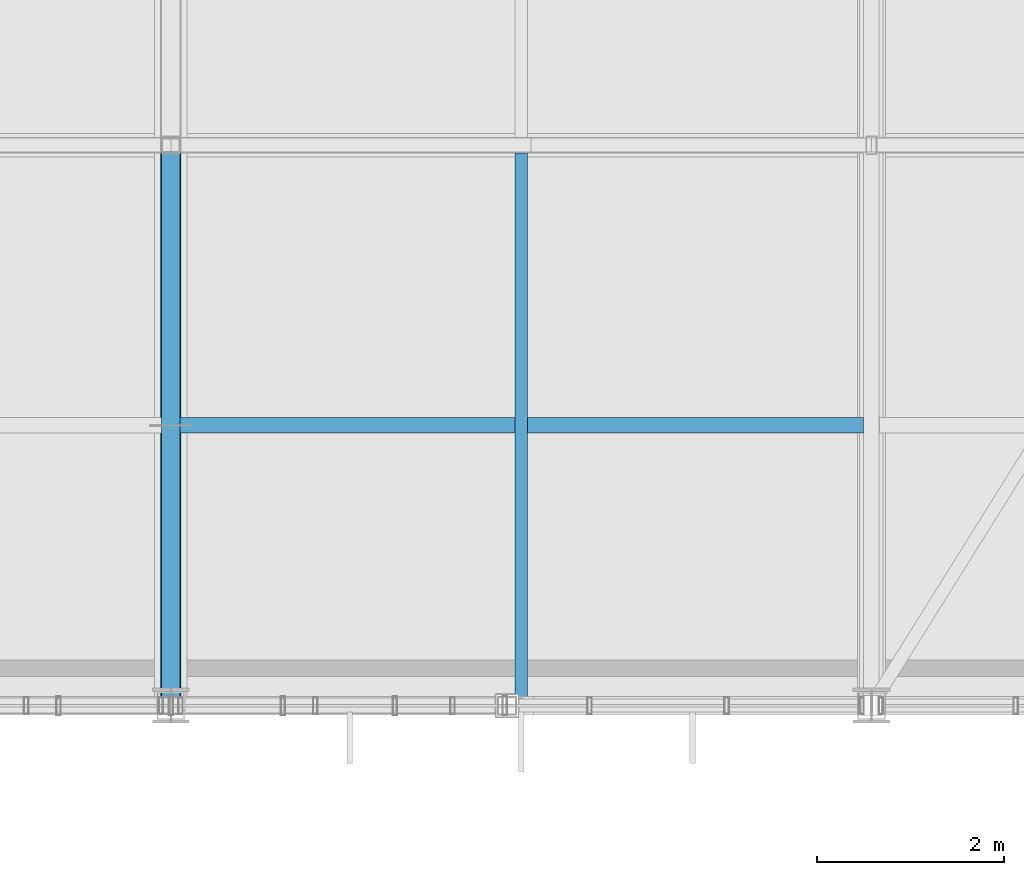
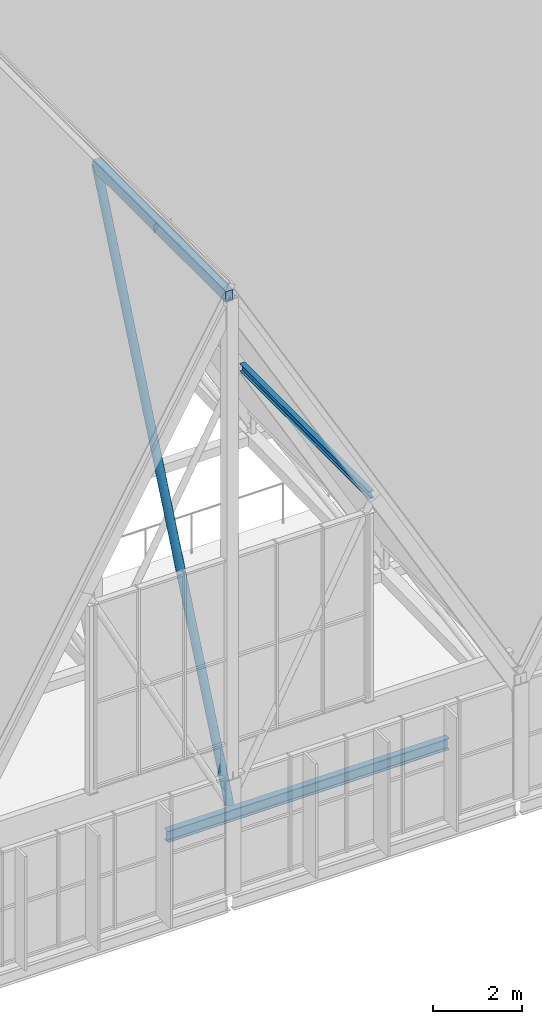
# One storey, part 124 of 324: 2 beams, 2 members.
"""IFC4 building model written with IfcOpenShell, lengths in metres."""

from ifc_helpers import new_model, si_unit, direction, frame, origin, origin_2d, place, context, subcontext, project, spatial, hollow_rectangle, hollow_circle, i_section, extrude, material, material_profile, profile_set, type_object, element, save


model = new_model("IFC4")

# Units and contexts
model_context = context("Model", 3, precision=1e-05, world=origin(), true_north=direction((0.0, 1.0)))
body_context = subcontext(model_context, "Body", "Model", "MODEL_VIEW")
ifc_project = project(units=[si_unit("LENGTHUNIT", "METRE"), si_unit("AREAUNIT", "SQUARE_METRE"), si_unit("VOLUMEUNIT", "CUBIC_METRE"), si_unit("PLANEANGLEUNIT", "RADIAN"), si_unit("MASSUNIT", "GRAM", prefix="KILO")], contexts=[model_context])

# Site, building, storey
site_placement = place(None, origin())
site = spatial("IfcSite", under=ifc_project, at=site_placement, CompositionType="ELEMENT")
building_placement = place(site_placement, origin())
building = spatial("IfcBuilding", under=site, at=building_placement, Name="Solvenia Promenade Tram Depot", CompositionType="ELEMENT")
storey_placement = place(building_placement, frame((0.0, 0.0, 4.5)))
storey = spatial("IfcBuildingStorey", under=building, at=storey_placement, Name="L01", CompositionType="ELEMENT", Elevation=4.5)

# Members
ifc_material_1 = material(Name="Structural steel ASTM A500 Gr. C", Category="steel")
ifc_material_profile_1 = material_profile(ifc_material_1, hollow_circle(Radius=0.109619140625, WallThickness=0.008056640625, at=origin_2d()), Name="CHS219.1x8", Category="steel")
ifc_profile_set_1 = profile_set([ifc_material_profile_1], Name="Structural steel ASTM A500 Gr. C")
member_type_1 = type_object("IfcMemberType", Name="Brace-CHS219x8", PredefinedType="BRACE", material=ifc_profile_set_1)
member_1_placement = place(storey_placement, frame((67.5, 66.0, 2.320068359375), z_axis=(0.0, 0.393919298579, 0.919145030018), x_axis=(-1.0, 0.0, 0.0)))
element("IfcMember", 1, at=member_1_placement, inside=storey, type_object=member_type_1, Name="Arched Truss T10 Web Diagonal S01", PredefinedType="BRACE", context=body_context, shape_type="SweptSolid", body=[
    extrude(hollow_circle(Radius=0.109619140625, WallThickness=0.008056640625, at=origin_2d()), origin(), (0.0, 0.0, 1.0), 15.2314453125),
])
ifc_material_profile_2 = material_profile(ifc_material_1, hollow_rectangle(XDim=0.199951171875, YDim=0.300048828125, WallThickness=0.012451171875, at=origin_2d()), Name="HSS300x200x12.5", Category="steel")
ifc_profile_set_2 = profile_set([ifc_material_profile_2], Name="Structural steel ASTM A500 Gr. C")
member_type_2 = type_object("IfcMemberType", Name="Chord-HSS300x200x12", PredefinedType="CHORD", material=ifc_profile_set_2)
member_2_placement = place(storey_placement, frame((67.5, 66.0, 16.320068359375), z_axis=(0.0, 1.0, 0.0), x_axis=(-1.0, 0.0, 0.0)))
element("IfcMember", 2, at=member_2_placement, inside=storey, type_object=member_type_2, Name="Arched Truss T10 Upper Chord S01", PredefinedType="CHORD", context=body_context, shape_type="SweptSolid", body=[
    extrude(hollow_rectangle(XDim=0.199951171875, YDim=0.300048828125, WallThickness=0.012451171875, at=origin_2d()), origin(), (0.0, 0.0, 1.0), 6.0),
])

# Beams
ifc_material_2 = material(Name="Structural steel ASTM A992 Gr. 50", Category="steel")
ifc_material_profile_3 = material_profile(ifc_material_2, i_section(OverallWidth=0.166015625, OverallDepth=0.31298828125, WebThickness=0.006591796875, FlangeThickness=0.01123046875, FilletRadius=0.010009765625, at=origin_2d()), Name="W310x45", Category="steel")
ifc_profile_set_3 = profile_set([ifc_material_profile_3], Name="Structural steel ASTM A992 Gr. 50")
beam_type_1 = type_object("IfcBeamType", Name="Joist-W310x45", PredefinedType="JOIST", material=ifc_profile_set_3)
beam_1_placement = place(storey_placement, frame((67.5849609375, 69.0, -0.37646484375), z_axis=(1.0, 0.0, 0.0), x_axis=(0.0, 1.0, 0.0)))
element("IfcBeam", 3, at=beam_1_placement, inside=storey, type_object=beam_type_1, Name="Secondary Floor Joist BM-L01-0088", PredefinedType="JOIST", context=body_context, shape_type="SweptSolid", body=[
    extrude(i_section(OverallWidth=0.166015625, OverallDepth=0.31298828125, WebThickness=0.006591796875, FlangeThickness=0.01123046875, FilletRadius=0.010009765625, at=origin_2d()), origin(), (0.0, 0.0, 1.0), 7.330078125),
])
ifc_material_profile_4 = material_profile(ifc_material_2, i_section(OverallWidth=0.133056640625, OverallDepth=0.20703125, WebThickness=0.005859375, FlangeThickness=0.00830078125, FilletRadius=0.009033203125, at=origin_2d()), Name="W200x27", Category="steel")
ifc_profile_set_4 = profile_set([ifc_material_profile_4], Name="Structural steel ASTM A992 Gr. 50")
beam_type_2 = type_object("IfcBeamType", Name="Purlin-W200x27", PredefinedType="USERDEFINED", material=ifc_profile_set_4)
beam_2_placement = place(storey_placement, frame((71.25, 66.0849609375, 9.484130859375), z_axis=(0.0, 1.0, 0.0), x_axis=(-1.0, 0.0, 0.0)))
element("IfcBeam", 4, at=beam_2_placement, inside=storey, type_object=beam_type_2, Name="Gable Roof Purlin E-0082", ObjectType="PURLIN", PredefinedType="USERDEFINED", context=body_context, shape_type="SweptSolid", body=[
    extrude(i_section(OverallWidth=0.133056640625, OverallDepth=0.20703125, WebThickness=0.005859375, FlangeThickness=0.00830078125, FilletRadius=0.009033203125, at=origin_2d()), origin(), (0.0, 0.0, 1.0), 5.830078125),
])

save(model, "model.ifc")
